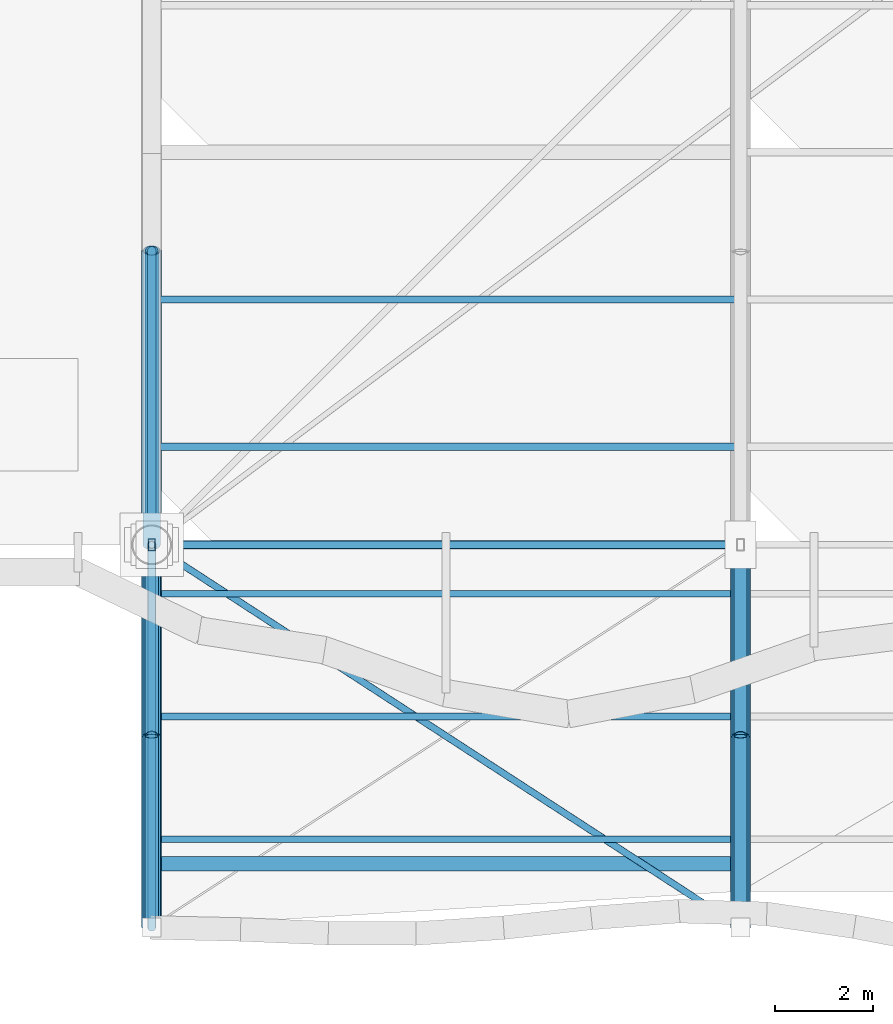
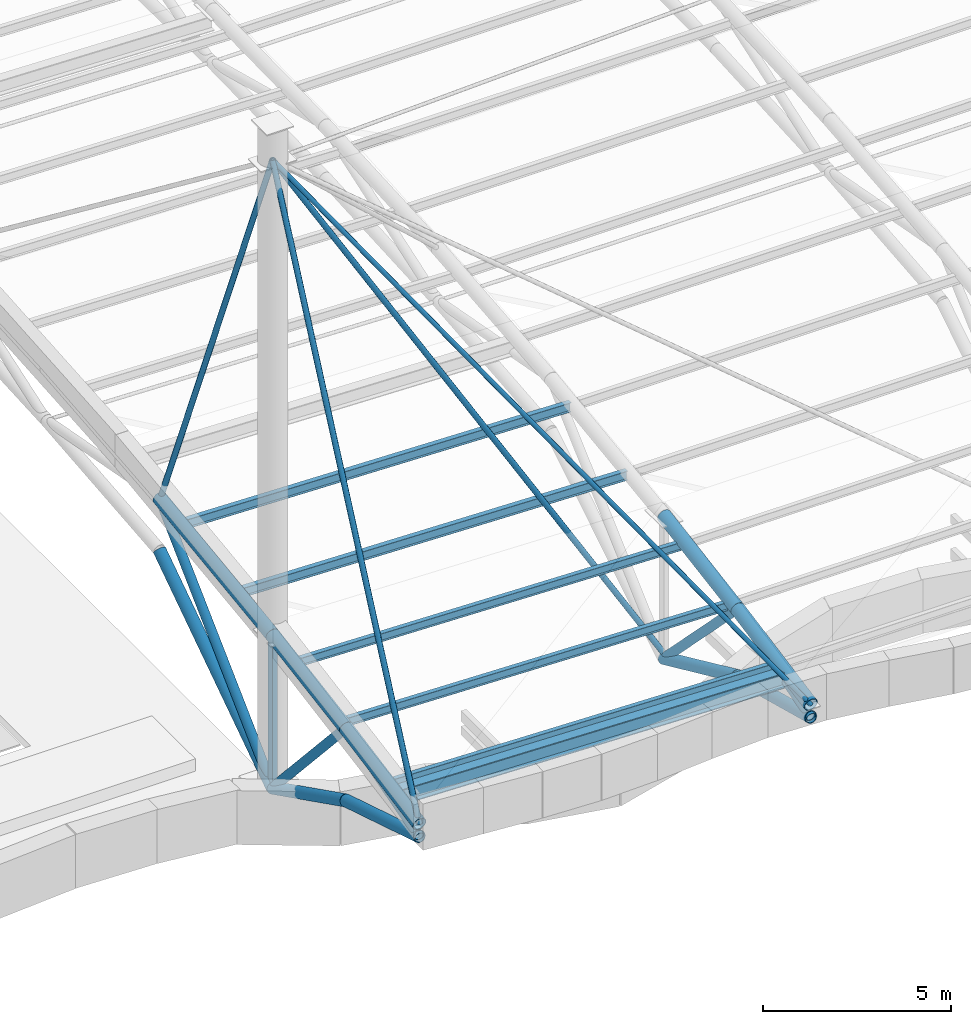
# One storey, part 3 of 29: 25 members, 1 beam.
"""IFC4 building model written with IfcOpenShell, lengths in metres."""

from ifc_helpers import new_model, si_unit, direction, frame, origin, origin_2d, place, context, subcontext, project, spatial, hollow_rectangle, hollow_circle, i_section, extrude, material, material_profile, profile_set, type_object, element, save


model = new_model("IFC4")

# Units and contexts
model_context = context("Model", 3, precision=1e-05, world=origin(), true_north=direction((0.0, 1.0)))
body_context = subcontext(model_context, "Body", "Model", "MODEL_VIEW")
ifc_project = project(units=[si_unit("LENGTHUNIT", "METRE"), si_unit("AREAUNIT", "SQUARE_METRE"), si_unit("VOLUMEUNIT", "CUBIC_METRE"), si_unit("PLANEANGLEUNIT", "RADIAN"), si_unit("MASSUNIT", "GRAM", prefix="KILO")], contexts=[model_context])

# Site, building, storey
site_placement = place(None, origin())
site = spatial("IfcSite", under=ifc_project, at=site_placement, CompositionType="ELEMENT")
building_placement = place(site_placement, origin())
building = spatial("IfcBuilding", under=site, at=building_placement, Name="Keelwater Ferry Terminal", CompositionType="ELEMENT")
storey_placement = place(building_placement, frame((0.0, 0.0, 27.89990234375)))
storey = spatial("IfcBuildingStorey", under=building, at=storey_placement, Name="RF", CompositionType="ELEMENT", Elevation=27.89990234375)

# Members
ifc_material_1 = material(Name="Steel S355", Category="steel")
ifc_material_profile_1 = material_profile(ifc_material_1, hollow_circle(Radius=0.136474609375, WallThickness=0.012451171875, at=origin_2d()), Name="CHS 273x12.5")
ifc_profile_set_1 = profile_set([ifc_material_profile_1], Name="Steel S355")
member_type_1 = type_object("IfcMemberType", Name="BR2 CHS 273x12.5", PredefinedType="BRACE", material=ifc_profile_set_1)
member_1_placement = place(storey_placement, frame((48.0, 42.0, -13.0498046875), z_axis=(0.0, 0.721460060019, 0.692456050445), x_axis=(-1.0, 0.0, 0.0)))
element("IfcMember", 1, at=member_1_placement, inside=storey, type_object=member_type_1, Name="Structural Member MB-RF-0011", PredefinedType="BRACE", context=body_context, shape_type="SweptSolid", body=[
    extrude(hollow_circle(Radius=0.136474609375, WallThickness=0.012451171875, at=origin_2d()), origin(), (0.0, 0.0, 1.0), 8.31640625),
])
ifc_material_2 = material(Name="Steel S355", Category="steel")
ifc_material_profile_2 = material_profile(ifc_material_2, hollow_circle(Radius=0.136474609375, WallThickness=0.012451171875, at=origin_2d()), Name="CHS 273x12.5")
ifc_profile_set_2 = profile_set([ifc_material_profile_2], Name="Steel S355")
member_type_2 = type_object("IfcMemberType", Name="BR2E CHS 273x12.5", PredefinedType="BRACE", material=ifc_profile_set_2)
member_2_placement = place(storey_placement, frame((48.0, 34.199951171875, -9.89794921875), z_axis=(0.0, 0.959309065387, 0.282358136178), x_axis=(-1.0, 0.0, 0.0)))
element("IfcMember", 2, at=member_2_placement, inside=storey, type_object=member_type_2, Name="Structural Member MB-RF-0005", PredefinedType="BRACE", context=body_context, shape_type="SweptSolid", body=[
    extrude(hollow_circle(Radius=0.136474609375, WallThickness=0.012451171875, at=origin_2d()), origin(), (0.0, 0.0, 1.0), 4.065673828125),
])
member_3_placement = place(storey_placement, frame((48.0, 38.10009765625, -8.75), z_axis=(0.0, 0.671822451348, -0.74071222068), x_axis=(-1.0, 0.0, 0.0)))
element("IfcMember", 3, at=member_3_placement, inside=storey, type_object=member_type_2, Name="Structural Member MB-RF-0008", PredefinedType="BRACE", context=body_context, shape_type="SweptSolid", body=[
    extrude(hollow_circle(Radius=0.136474609375, WallThickness=0.012451171875, at=origin_2d()), origin(), (0.0, 0.0, 1.0), 5.804931640625),
])
member_4_placement = place(storey_placement, frame((60.0, 34.199951171875, -10.23095703125), z_axis=(0.0, 0.959374107693, 0.28213706153), x_axis=(-1.0, 0.0, 0.0)))
element("IfcMember", 4, at=member_4_placement, inside=storey, type_object=member_type_2, Name="Structural Member MB-RF-0037", PredefinedType="BRACE", context=body_context, shape_type="SweptSolid", body=[
    extrude(hollow_circle(Radius=0.136474609375, WallThickness=0.012451171875, at=origin_2d()), origin(), (0.0, 0.0, 1.0), 4.065185546875),
])
member_5_placement = place(storey_placement, frame((60.0, 38.10009765625, -9.083984375), z_axis=(0.0, 0.701156316422, -0.713007587577), x_axis=(-1.0, 0.0, 0.0)))
element("IfcMember", 5, at=member_5_placement, inside=storey, type_object=member_type_2, Name="Structural Member MB-RF-0040", PredefinedType="BRACE", context=body_context, shape_type="SweptSolid", body=[
    extrude(hollow_circle(Radius=0.136474609375, WallThickness=0.012451171875, at=origin_2d()), origin(), (0.0, 0.0, 1.0), 5.56201171875),
])
ifc_material_3 = material(Name="Steel S355", Category="steel")
ifc_material_profile_3 = material_profile(ifc_material_3, hollow_rectangle(XDim=0.14990234375, YDim=0.25, WallThickness=0.010009765625, at=origin_2d()), Name="RHS 250x150x10")
ifc_profile_set_3 = profile_set([ifc_material_profile_3], Name="Steel S355")
member_type_3 = type_object("IfcMemberType", Name="BR5 RHS 250x150x10", PredefinedType="BRACE", material=ifc_profile_set_3)
member_6_placement = place(storey_placement, frame((48.0, 42.0, -13.0498046875), z_axis=(0.0, 0.0, 1.0), x_axis=(1.0, 0.0, 0.0)))
element("IfcMember", 6, at=member_6_placement, inside=storey, type_object=member_type_3, Name="Structural Member MB-RF-0001", PredefinedType="BRACE", context=body_context, shape_type="SweptSolid", body=[
    extrude(hollow_rectangle(XDim=0.14990234375, YDim=0.25, WallThickness=0.010009765625, at=origin_2d()), origin(), (0.0, 0.0, 1.0), 4.949951171875),
])

# Beam
ifc_material_4 = material(Name="Steel S355", Category="steel")
ifc_material_profile_4 = material_profile(ifc_material_4, i_section(OverallWidth=0.300048828125, OverallDepth=0.5, WebThickness=0.014404296875, FlangeThickness=0.028076171875, at=origin_2d()), Name="HEB 500")
ifc_profile_set_4 = profile_set([ifc_material_profile_4], Name="Steel S355")
beam_type = type_object("IfcBeamType", Name="G5E HEB 500", PredefinedType="BEAM", material=ifc_profile_set_4)
beam_placement = place(storey_placement, frame((48.0, 35.5, -9.3779296875), z_axis=(0.999615172935, 0.0, -0.02773997184), x_axis=(0.0, 1.0, 0.0)))
element("IfcBeam", 7, at=beam_placement, inside=storey, type_object=beam_type, Name="Beam BM-RF-1657", PredefinedType="BEAM", context=body_context, shape_type="SweptSolid", body=[
    extrude(i_section(OverallWidth=0.300048828125, OverallDepth=0.5, WebThickness=0.014404296875, FlangeThickness=0.028076171875, at=origin_2d()), origin(), (0.0, 0.0, 1.0), 12.004638671875),
])

# Members
ifc_material_5 = material(Name="Steel S355", Category="steel")
ifc_material_profile_5 = material_profile(ifc_material_5, i_section(OverallWidth=0.14990234375, OverallDepth=0.300048828125, WebThickness=0.007080078125, FlangeThickness=0.0107421875, at=origin_2d()), Name="IPE 300")
ifc_profile_set_5 = profile_set([ifc_material_profile_5], Name="Steel S355")
member_type_4 = type_object("IfcMemberType", Name="PR1 IPE 300", PredefinedType="PURLIN", material=ifc_profile_set_5)
for number, where, z_axis, x_axis, name in (
    (8, (48.0, 44.0, -7.974853515625), (0.999615172935, 0.0, -0.02773997184), (0.0, 1.0, 0.0), "Structural Member MB-RF-0257"),
    (9, (48.0, 47.0, -7.578857421875), (0.999612913888, 0.0, -0.027821257857), (0.0, 1.0, 0.0), "Structural Member MB-RF-0258"),
):
    element("IfcMember", number, at=place(storey_placement, frame(where, z_axis=z_axis, x_axis=x_axis)), inside=storey, type_object=member_type_4, Name=name, PredefinedType="PURLIN", context=body_context, shape_type="SweptSolid", body=[
        extrude(i_section(OverallWidth=0.14990234375, OverallDepth=0.300048828125, WebThickness=0.007080078125, FlangeThickness=0.0107421875, at=origin_2d()), origin(), (0.0, 0.0, 1.0), 12.004638671875),
    ])
ifc_material_6 = material(Name="Steel S355", Category="steel")
ifc_material_profile_6 = material_profile(ifc_material_6, i_section(OverallWidth=0.135009765625, OverallDepth=0.27001953125, WebThickness=0.006591796875, FlangeThickness=0.01025390625, at=origin_2d()), Name="IPE 270")
ifc_profile_set_6 = profile_set([ifc_material_profile_6], Name="Steel S355")
member_type_5 = type_object("IfcMemberType", Name="PR2E IPE 270", PredefinedType="PURLIN", material=ifc_profile_set_6)
for number, where, z_axis, x_axis, name in (
    (10, (48.0, 36.0, -9.310791015625), (0.999615172935, 0.0, -0.02773997184), (0.0, 1.0, 0.0), "Structural Member MB-RF-0254"),
    (11, (48.0, 38.5, -8.848876953125), (0.999615172935, 0.0, -0.02773997184), (0.0, 1.0, 0.0), "Structural Member MB-RF-0255"),
    (12, (48.0, 41.0, -8.427001953125), (0.999612913888, 0.0, -0.027821257857), (0.0, 1.0, 0.0), "Structural Member MB-RF-0256"),
):
    element("IfcMember", number, at=place(storey_placement, frame(where, z_axis=z_axis, x_axis=x_axis)), inside=storey, type_object=member_type_5, Name=name, PredefinedType="PURLIN", context=body_context, shape_type="SweptSolid", body=[
        extrude(i_section(OverallWidth=0.135009765625, OverallDepth=0.27001953125, WebThickness=0.006591796875, FlangeThickness=0.01025390625, at=origin_2d()), origin(), (0.0, 0.0, 1.0), 12.004638671875),
    ])
ifc_material_7 = material(Name="Steel S460", Category="steel")
ifc_material_profile_7 = material_profile(ifc_material_7, hollow_circle(Radius=0.084228515625, WallThickness=0.012451171875, at=origin_2d()), Name="CHS 168.3x12.5")
ifc_profile_set_7 = profile_set([ifc_material_profile_7], Name="Steel S460")
member_type_6 = type_object("IfcMemberType", Name="SC1E CHS 168.3x12.5", PredefinedType="USERDEFINED", material=ifc_profile_set_7)
member_7_placement = place(storey_placement, frame((48.0, 42.0, 7.300048828125), z_axis=(0.0, 0.378097227373, -0.925765891926), x_axis=(-1.0, 0.0, 0.0)))
element("IfcMember", 13, at=member_7_placement, inside=storey, type_object=member_type_6, Name="Structural Member MB-RF-0385", ObjectType="CABLE", PredefinedType="USERDEFINED", context=body_context, shape_type="SweptSolid", body=[
    extrude(hollow_circle(Radius=0.084228515625, WallThickness=0.012451171875, at=origin_2d()), origin(), (0.0, 0.0, 1.0), 15.868896484375),
])
member_8_placement = place(storey_placement, frame((48.0, 42.0, 7.300048828125), z_axis=(0.0, -0.421157782458, -0.906987388157), x_axis=(1.0, 0.0, 0.0)))
element("IfcMember", 14, at=member_8_placement, inside=storey, type_object=member_type_6, Name="Structural Member MB-RF-0387", ObjectType="CABLE", PredefinedType="USERDEFINED", context=body_context, shape_type="SweptSolid", body=[
    extrude(hollow_circle(Radius=0.084228515625, WallThickness=0.012451171875, at=origin_2d()), origin(), (0.0, 0.0, 1.0), 18.5205078125),
])
member_9_placement = place(storey_placement, frame((48.0, 42.0, 7.300048828125), z_axis=(0.510736326415, 0.0, -0.859737404607), x_axis=(0.0, 1.0, 0.0)))
element("IfcMember", 15, at=member_9_placement, inside=storey, type_object=member_type_6, Name="Structural Member MB-RF-0389", ObjectType="CABLE", PredefinedType="USERDEFINED", context=body_context, shape_type="SweptSolid", body=[
    extrude(hollow_circle(Radius=0.084228515625, WallThickness=0.012451171875, at=origin_2d()), origin(), (0.0, 0.0, 1.0), 23.49560546875),
])
ifc_material_8 = material(Name="Steel S460", Category="steel")
ifc_material_profile_8 = material_profile(ifc_material_8, hollow_circle(Radius=0.06982421875, WallThickness=0.010009765625, at=origin_2d()), Name="CHS 139.7x10")
ifc_profile_set_8 = profile_set([ifc_material_profile_8], Name="Steel S460")
member_type_7 = type_object("IfcMemberType", Name="SC2E CHS 139.7x10", PredefinedType="USERDEFINED", material=ifc_profile_set_8)
member_10_placement = place(storey_placement, frame((48.0, 42.0, 7.300048828125), z_axis=(0.53756713111, -0.349420822588, -0.767415577306), x_axis=(0.544990748927, 0.83844205738, 0.0)))
element("IfcMember", 16, at=member_10_placement, inside=storey, type_object=member_type_7, Name="Structural Member MB-RF-0388", ObjectType="CABLE", PredefinedType="USERDEFINED", context=body_context, shape_type="SweptSolid", body=[
    extrude(hollow_circle(Radius=0.06982421875, WallThickness=0.010009765625, at=origin_2d()), origin(), (0.0, 0.0, 1.0), 22.32275390625),
])
ifc_material_9 = material(Name="Steel S355", Category="steel")
ifc_material_profile_9 = material_profile(ifc_material_9, hollow_circle(Radius=0.203125, WallThickness=0.01611328125, at=origin_2d()), Name="CHS 406.4x16")
ifc_profile_set_9 = profile_set([ifc_material_profile_9], Name="Steel S355")
member_type_8 = type_object("IfcMemberType", Name="TC1 CHS 406.4x16", PredefinedType="CHORD", material=ifc_profile_set_9)
member_11_placement = place(storey_placement, frame((48.0, 42.0, -8.099853515625), z_axis=(0.0, 0.991035625786, 0.133597860849), x_axis=(-1.0, 0.0, 0.0)))
element("IfcMember", 17, at=member_11_placement, inside=storey, type_object=member_type_8, Name="Structural Member MB-RF-0009", PredefinedType="CHORD", context=body_context, shape_type="SweptSolid", body=[
    extrude(hollow_circle(Radius=0.203125, WallThickness=0.01611328125, at=origin_2d()), origin(), (0.0, 0.0, 1.0), 6.05419921875),
])
ifc_material_10 = material(Name="Steel S355", Category="steel")
ifc_material_profile_10 = material_profile(ifc_material_10, hollow_circle(Radius=0.203125, WallThickness=0.01611328125, at=origin_2d()), Name="CHS 406.4x16")
ifc_profile_set_10 = profile_set([ifc_material_profile_10], Name="Steel S355")
member_type_9 = type_object("IfcMemberType", Name="TC1E CHS 406.4x16", PredefinedType="CHORD", material=ifc_profile_set_10)
member_12_placement = place(storey_placement, frame((48.0, 34.199951171875, -9.497802734375), z_axis=(0.0, 0.982110223203, 0.188306955472), x_axis=(-1.0, 0.0, 0.0)))
element("IfcMember", 18, at=member_12_placement, inside=storey, type_object=member_type_9, Name="Structural Member MB-RF-0003", PredefinedType="CHORD", context=body_context, shape_type="SweptSolid", body=[
    extrude(hollow_circle(Radius=0.203125, WallThickness=0.01611328125, at=origin_2d()), origin(), (0.0, 0.0, 1.0), 3.97119140625),
])
member_13_placement = place(storey_placement, frame((48.0, 38.10009765625, -8.75), z_axis=(0.0, 0.986387247392, 0.164439040929), x_axis=(-1.0, 0.0, 0.0)))
element("IfcMember", 19, at=member_13_placement, inside=storey, type_object=member_type_9, Name="Structural Member MB-RF-0006", PredefinedType="CHORD", context=body_context, shape_type="SweptSolid", body=[
    extrude(hollow_circle(Radius=0.203125, WallThickness=0.01611328125, at=origin_2d()), origin(), (0.0, 0.0, 1.0), 3.95361328125),
])
member_14_placement = place(storey_placement, frame((60.0, 34.199951171875, -9.830810546875), z_axis=(0.0, 0.982155675144, 0.188069747121), x_axis=(-1.0, 0.0, 0.0)))
element("IfcMember", 20, at=member_14_placement, inside=storey, type_object=member_type_9, Name="Structural Member MB-RF-0035", PredefinedType="CHORD", context=body_context, shape_type="SweptSolid", body=[
    extrude(hollow_circle(Radius=0.203125, WallThickness=0.01611328125, at=origin_2d()), origin(), (0.0, 0.0, 1.0), 3.970947265625),
])
member_15_placement = place(storey_placement, frame((60.0, 38.10009765625, -9.083984375), z_axis=(0.0, 0.986387247392, 0.164439040929), x_axis=(-1.0, 0.0, 0.0)))
element("IfcMember", 21, at=member_15_placement, inside=storey, type_object=member_type_9, Name="Structural Member MB-RF-0038", PredefinedType="CHORD", context=body_context, shape_type="SweptSolid", body=[
    extrude(hollow_circle(Radius=0.203125, WallThickness=0.01611328125, at=origin_2d()), origin(), (0.0, 0.0, 1.0), 3.95361328125),
])
ifc_material_11 = material(Name="Steel S355", Category="steel")
ifc_material_profile_11 = material_profile(ifc_material_11, hollow_circle(Radius=0.177734375, WallThickness=0.01611328125, at=origin_2d()), Name="CHS 355.6x16")
ifc_profile_set_11 = profile_set([ifc_material_profile_11], Name="Steel S355")
member_type_10 = type_object("IfcMemberType", Name="TC2 CHS 355.6x16", PredefinedType="CHORD", material=ifc_profile_set_11)
member_16_placement = place(storey_placement, frame((48.0, 42.0, -13.0498046875), z_axis=(0.0, 0.828282493048, 0.560310727821), x_axis=(-1.0, 0.0, 0.0)))
element("IfcMember", 22, at=member_16_placement, inside=storey, type_object=member_type_10, Name="Structural Member MB-RF-0010", PredefinedType="CHORD", context=body_context, shape_type="SweptSolid", body=[
    extrude(hollow_circle(Radius=0.177734375, WallThickness=0.01611328125, at=origin_2d()), origin(), (0.0, 0.0, 1.0), 7.243896484375),
])
ifc_material_12 = material(Name="Steel S355", Category="steel")
ifc_material_profile_12 = material_profile(ifc_material_12, hollow_circle(Radius=0.177734375, WallThickness=0.01611328125, at=origin_2d()), Name="CHS 355.6x16")
ifc_profile_set_12 = profile_set([ifc_material_profile_12], Name="Steel S355")
member_type_11 = type_object("IfcMemberType", Name="TC2E CHS 355.6x16", PredefinedType="CHORD", material=ifc_profile_set_12)
member_17_placement = place(storey_placement, frame((48.0, 34.199951171875, -9.89794921875), z_axis=(0.0, 0.955650867451, -0.294501985631), x_axis=(-1.0, 0.0, 0.0)))
element("IfcMember", 23, at=member_17_placement, inside=storey, type_object=member_type_11, Name="Structural Member MB-RF-0004", PredefinedType="CHORD", context=body_context, shape_type="SweptSolid", body=[
    extrude(hollow_circle(Radius=0.177734375, WallThickness=0.01611328125, at=origin_2d()), origin(), (0.0, 0.0, 1.0), 4.0810546875),
])
member_18_placement = place(storey_placement, frame((48.0, 38.10009765625, -11.099853515625), z_axis=(0.0, 0.894427191, -0.4472135955), x_axis=(-1.0, 0.0, 0.0)))
element("IfcMember", 24, at=member_18_placement, inside=storey, type_object=member_type_11, Name="Structural Member MB-RF-0007", PredefinedType="CHORD", context=body_context, shape_type="SweptSolid", body=[
    extrude(hollow_circle(Radius=0.177734375, WallThickness=0.01611328125, at=origin_2d()), origin(), (0.0, 0.0, 1.0), 4.360107421875),
])
member_19_placement = place(storey_placement, frame((60.0, 34.199951171875, -10.23095703125), z_axis=(0.0, 0.966490521371, -0.256702302484), x_axis=(-1.0, 0.0, 0.0)))
element("IfcMember", 25, at=member_19_placement, inside=storey, type_object=member_type_11, Name="Structural Member MB-RF-0036", PredefinedType="CHORD", context=body_context, shape_type="SweptSolid", body=[
    extrude(hollow_circle(Radius=0.177734375, WallThickness=0.01611328125, at=origin_2d()), origin(), (0.0, 0.0, 1.0), 4.035400390625),
])
member_20_placement = place(storey_placement, frame((60.0, 38.10009765625, -11.266845703125), z_axis=(0.0, 0.909461558348, -0.415788015564), x_axis=(-1.0, 0.0, 0.0)))
element("IfcMember", 26, at=member_20_placement, inside=storey, type_object=member_type_11, Name="Structural Member MB-RF-0039", PredefinedType="CHORD", context=body_context, shape_type="SweptSolid", body=[
    extrude(hollow_circle(Radius=0.177734375, WallThickness=0.01611328125, at=origin_2d()), origin(), (0.0, 0.0, 1.0), 4.2880859375),
])

save(model, "model.ifc")
